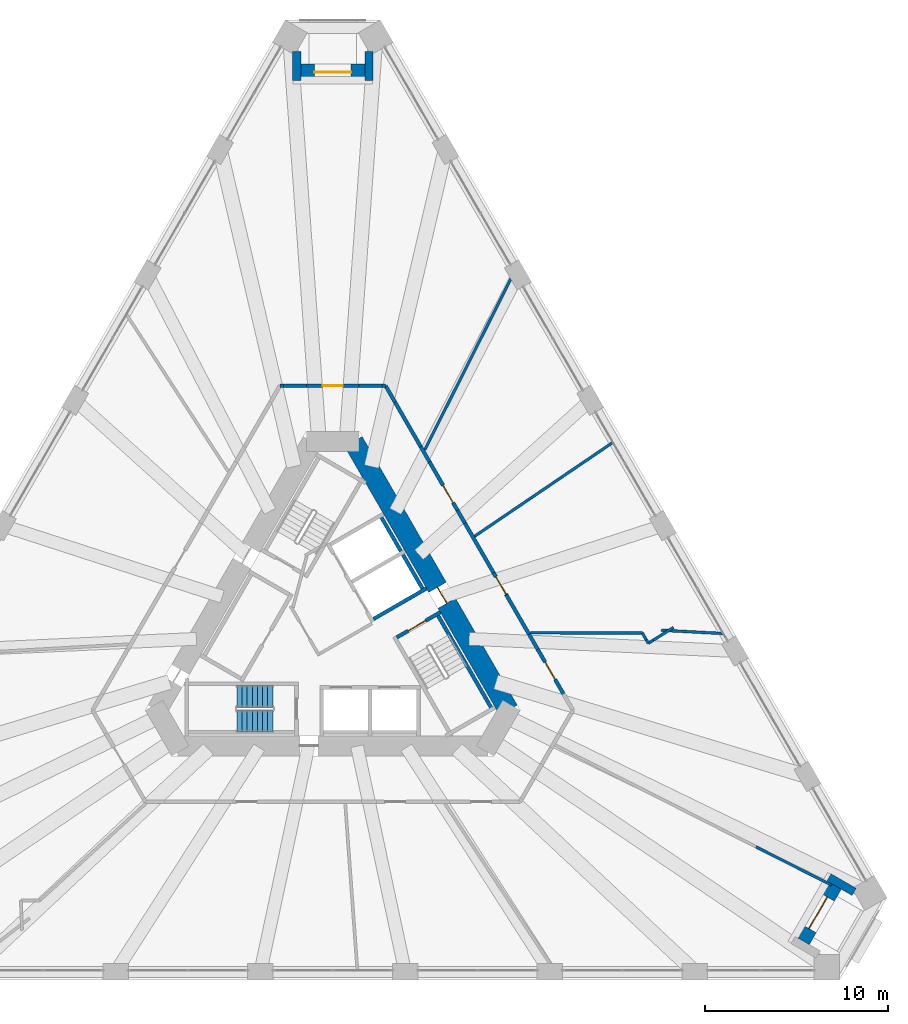
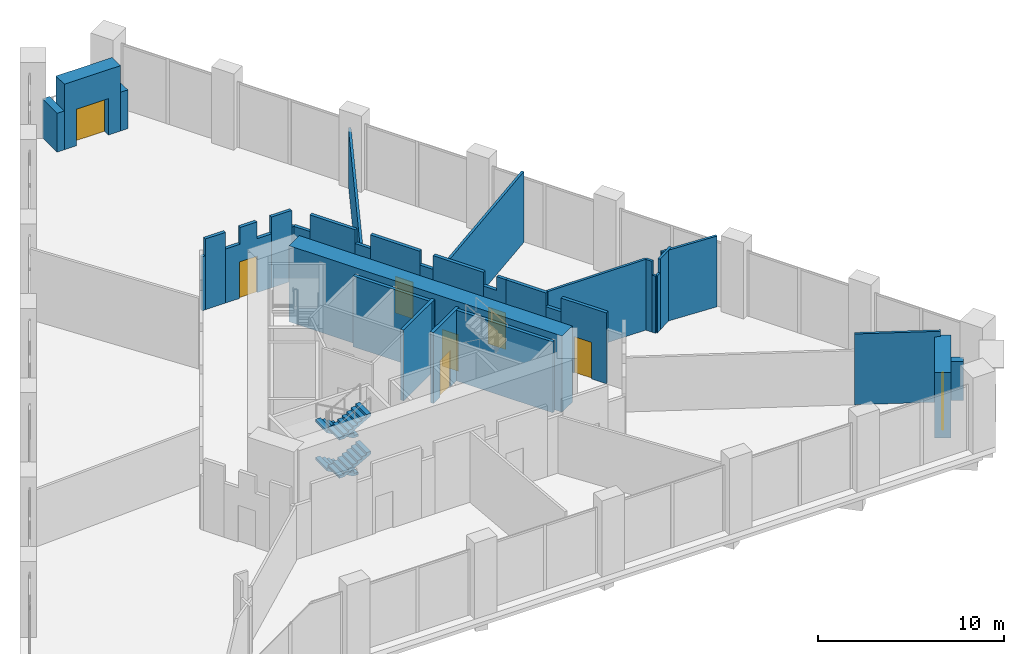
# One storey, part 15 of 20: 34 walls, 8 doors, 4 stair flights, 8 openings, 1 element without a shape of its own.
"""IFC4 building model written with IfcOpenShell, lengths in metres."""

import ifcopenshell
import ifcopenshell.guid

model = None  # the IFC model being written
_history = None  # IfcOwnerHistory: only IFC2X3 demands one
_inside = {}  # id of a spatial element -> (the spatial element, [elements in it])
_under = {}  # id of a project, library or spatial element -> (it, [spatial elements below it])
_declared = {}  # id of a project -> (the project, [libraries it declares])
_typed = {}  # id of a type object -> (the type object, [elements of that type])
_made_of = {}  # id of a material, layer set ... -> (it, [elements and type objects made of it])


def new_model(schema):
    """Start an empty IFC model of exactly this schema.

    Asked for "IFC4X3", IfcOpenShell would pick the latest addendum, in which some entities
    have other attributes; the version numbers below select the first issue.
    IFC2X3 requires an IfcOwnerHistory on every rooted entity: one is made here for all.
    """
    global model, _history
    if schema == "IFC4X3":
        model = ifcopenshell.file(schema_version=(4, 3, 0, 0))
    else:
        model = ifcopenshell.file(schema=schema)
    _inside.clear()
    _under.clear()
    _declared.clear()
    _typed.clear()
    _made_of.clear()
    _history = None
    if model.schema == "IFC2X3":
        org = make("IfcOrganization", Name="unknown")
        user = make(
            "IfcPersonAndOrganization",
            ThePerson=make("IfcPerson", FamilyName="unknown"),
            TheOrganization=org,
        )
        app = make(
            "IfcApplication",
            ApplicationDeveloper=org,
            Version="unknown",
            ApplicationFullName="unknown",
            ApplicationIdentifier="unknown",
        )
        _history = make(
            "IfcOwnerHistory",
            OwningUser=user,
            OwningApplication=app,
            ChangeAction="ADDED",
            CreationDate=0,
        )
    return model


def make(cls, **values):
    """One entity of the class cls with the attributes given. An attribute that is None is left unset."""
    return model.create_entity(
        cls, **{name: value for name, value in values.items() if value is not None}
    )


def rooted(cls, **values):
    """An entity with a GlobalId (a new one), such as an element, a storey or a relation."""
    return make(cls, GlobalId=ifcopenshell.guid.new(), OwnerHistory=_history, **values)


def si_unit(unit_type, name, prefix=None):
    """IfcSIUnit, for example si_unit("LENGTHUNIT", "METRE", prefix="MILLI")."""
    return make("IfcSIUnit", UnitType=unit_type, Prefix=prefix, Name=name)


def assignment(units):
    """IfcUnitAssignment: the units of a project."""
    return None if units is None else make("IfcUnitAssignment", Units=units)


def point(xyz):
    """IfcCartesianPoint."""
    return None if xyz is None else make("IfcCartesianPoint", Coordinates=xyz)


def direction(xyz):
    """IfcDirection."""
    return None if xyz is None else make("IfcDirection", DirectionRatios=xyz)


def frame(location, z_axis=None, x_axis=None):
    """IfcAxis2Placement3D, a coordinate frame: its origin and axes. An axis left out is left unset."""
    return make(
        "IfcAxis2Placement3D",
        Location=point(location),
        Axis=direction(z_axis),
        RefDirection=direction(x_axis),
    )


def frame_2d(location, x_axis=None):
    """IfcAxis2Placement2D, a coordinate frame in the plane: its origin and x axis."""
    return make(
        "IfcAxis2Placement2D", Location=point(location), RefDirection=direction(x_axis)
    )


def origin():
    """The frame at (0, 0, 0) with its axes left unset."""
    return frame((0.0, 0.0, 0.0))


def place(relative_to, where):
    """IfcLocalPlacement: puts the frame where relative to a parent placement (None: the world)."""
    return make(
        "IfcLocalPlacement", PlacementRelTo=relative_to, RelativePlacement=where
    )


def context(
    kind, dimensions, precision=None, world=None, true_north=None, identifier=None
):
    """IfcGeometricRepresentationContext, for example the 3D "Model" context."""
    return make(
        "IfcGeometricRepresentationContext",
        ContextIdentifier=identifier,
        ContextType=kind,
        CoordinateSpaceDimension=dimensions,
        Precision=precision,
        WorldCoordinateSystem=world,
        TrueNorth=true_north,
    )


def subcontext(parent, identifier, kind, view, scale=None):
    """IfcGeometricRepresentationSubContext, for example "Body" below "Model"."""
    return make(
        "IfcGeometricRepresentationSubContext",
        ContextIdentifier=identifier,
        ContextType=kind,
        ParentContext=parent,
        TargetScale=scale,
        TargetView=view,
    )


def project(units=None, contexts=None):
    """IfcProject with its units and contexts."""
    return rooted(
        "IfcProject",
        Name="project",
        RepresentationContexts=contexts,
        UnitsInContext=assignment(units),
    )


def spatial(cls, under=None, at=None, **own):
    """A site, building, storey or space (cls), placed at a placement, below another one or the project."""
    s = rooted(cls, ObjectPlacement=at, **own)
    if under is not None:
        _under.setdefault(under.id(), (under, []))[1].append(s)
    return s


def polyline(points):
    """IfcPolyline through the points."""
    return make("IfcPolyline", Points=[point(p) for p in points])


def profile(cls, at=None, kind="AREA", **sizes):
    """A parametric profile (cls). Its sizes go by their IFC names, for example OverallWidth=200.0."""
    return make(cls, ProfileType=kind, Position=at, **sizes)


def rectangle(**sizes):
    """IfcRectangleProfileDef."""
    return profile("IfcRectangleProfileDef", **sizes)


def outline(outer, holes=None, kind="AREA"):
    """IfcArbitraryClosedProfileDef: a profile drawn as a closed curve; with holes, ...WithVoids."""
    if holes is None:
        return make("IfcArbitraryClosedProfileDef", ProfileType=kind, OuterCurve=outer)
    return make(
        "IfcArbitraryProfileDefWithVoids",
        ProfileType=kind,
        OuterCurve=outer,
        InnerCurves=holes,
    )


def extrude(swept, where, along, depth):
    """IfcExtrudedAreaSolid: the profile swept, set in the frame where, extruded along a direction by depth."""
    return make(
        "IfcExtrudedAreaSolid",
        SweptArea=swept,
        Position=where,
        ExtrudedDirection=direction(along),
        Depth=depth,
    )


def shape(context_of_items, identifier, shape_type, items):
    """IfcShapeRepresentation: the items that make up one representation, for example the "Body"."""
    return make(
        "IfcShapeRepresentation",
        ContextOfItems=context_of_items,
        RepresentationIdentifier=identifier,
        RepresentationType=shape_type,
        Items=items,
    )


def material(Name=None, Category=None):
    """IfcMaterial."""
    return make("IfcMaterial", Name=Name, Category=Category)


def layer(
    of_material, thickness, ventilated=None, Name=None, Category=None, Priority=None
):
    """IfcMaterialLayer: one layer of a wall or slab, of a material (None: an air gap)."""
    return make(
        "IfcMaterialLayer",
        Material=of_material,
        LayerThickness=thickness,
        IsVentilated=ventilated,
        Name=Name,
        Category=Category,
        Priority=Priority,
    )


def layer_set(layers, Name=None):
    """IfcMaterialLayerSet."""
    return make("IfcMaterialLayerSet", MaterialLayers=layers, LayerSetName=Name)


def made_of(thing, what):
    """Note that an element or type object is made of a material, layer set ...; save() writes the relation."""
    if what is not None:
        _made_of.setdefault(what.id(), (what, []))[1].append(thing)
    return thing


def type_object(cls, material=None, **own):
    """A type object (cls), such as IfcWallType, which elements share."""
    return made_of(rooted(cls, **own), material)


def element(
    cls,
    number,
    at=None,
    inside=None,
    cuts=None,
    type_object=None,
    material=None,
    context=None,
    identifier="Body",
    shape_type=None,
    held_by="IfcProductDefinitionShape",
    body=None,
    shapes=None,
    **own,
):
    """One element of the class cls, such as IfcWall. Its Tag is "e" and its number.

    at: its placement. inside: the storey or other place that contains it. cuts: it is an
    opening in that element (IfcRelVoidsElement). A single representation is given by context,
    identifier, shape_type and body (its items); several are given by shapes. held_by: the class
    of the entity that holds the representations. save() writes the other relations.
    """
    e = rooted(cls, Tag="e%d" % number, ObjectPlacement=at, **own)
    if body is not None:
        shapes = [shape(context, identifier, shape_type, body)]
    if shapes is not None:
        e.Representation = make(held_by, Representations=shapes)
    if inside is not None:
        _inside.setdefault(inside.id(), (inside, []))[1].append(e)
    if cuts is not None:
        rooted(
            "IfcRelVoidsElement", RelatingBuildingElement=cuts, RelatedOpeningElement=e
        )
    if type_object is not None:
        _typed.setdefault(type_object.id(), (type_object, []))[1].append(e)
    return made_of(e, material)


def fill(opening, filler):
    """IfcRelFillsElement: the door or window that sits in an opening."""
    return rooted(
        "IfcRelFillsElement",
        RelatingOpeningElement=opening,
        RelatedBuildingElement=filler,
    )


def aggregate(whole, parts):
    """IfcRelAggregates: a whole, such as a stair, and the parts it consists of."""
    return rooted("IfcRelAggregates", RelatingObject=whole, RelatedObjects=parts)


def save(model, path):
    """Write the relations noted so far, then the file.

    IfcRelAggregates (storeys below a building ...), IfcRelContainedInSpatialStructure (elements
    in a storey), IfcRelDefinesByType, IfcRelAssociatesMaterial and IfcRelDeclares: one each for
    every whole, place, type object, material and project.
    """
    for whole, parts in _under.values():
        aggregate(whole, parts)
    for where, things in _inside.values():
        rooted(
            "IfcRelContainedInSpatialStructure",
            RelatedElements=things,
            RelatingStructure=where,
        )
    for kind, things in _typed.values():
        rooted("IfcRelDefinesByType", RelatedObjects=things, RelatingType=kind)
    for what, things in _made_of.values():
        rooted("IfcRelAssociatesMaterial", RelatedObjects=things, RelatingMaterial=what)
    for by, libraries in _declared.values():
        rooted("IfcRelDeclares", RelatingContext=by, RelatedDefinitions=libraries)
    model.write(path)


model = new_model("IFC4")

# Units and contexts
model_context = context("Model", 3, precision=1e-05, world=origin(), true_north=direction((0.0, 1.0)))
body_context = subcontext(model_context, "Body", "Model", "MODEL_VIEW")
ifc_project = project(units=[si_unit("LENGTHUNIT", "METRE"), si_unit("AREAUNIT", "SQUARE_METRE"), si_unit("VOLUMEUNIT", "CUBIC_METRE"), si_unit("PLANEANGLEUNIT", "RADIAN"), si_unit("MASSUNIT", "GRAM", prefix="KILO")], contexts=[model_context])

# Site, building, storey
site_placement = place(None, origin())
site = spatial("IfcSite", under=ifc_project, at=site_placement, CompositionType="ELEMENT")
building_placement = place(site_placement, origin())
building = spatial("IfcBuilding", under=site, at=building_placement, Name="Tramontana Tower", CompositionType="ELEMENT")
storey_placement = place(building_placement, frame((0.0, 0.0, 15.0)))
storey = spatial("IfcBuildingStorey", under=building, at=storey_placement, Name="L02", CompositionType="ELEMENT", Elevation=15.0)

# Wall, opening, door
ifc_material_1 = material(Name="Concrete 70 MPa", Category="concrete")
ifc_layer_1 = layer(ifc_material_1, 1.10009765625)
ifc_layer_set_1 = layer_set([ifc_layer_1], Name="Core wall 1100 70 MPa")
wall_type_1 = type_object("IfcWallType", Name="Core wall 1100 70 MPa", PredefinedType="SHEAR", material=ifc_layer_set_1)
wall_1_placement = place(storey_placement, frame((9.61279296875, -4.25, 0.0), z_axis=(0.0, 0.0, 1.0), x_axis=(-0.500001757713, 0.866024388966, 0.0)))
wall_1 = element("IfcWall", 1, at=wall_1_placement, inside=storey, type_object=wall_type_1, Name="Core wall C5 L02", PredefinedType="SHEAR", context=body_context, shape_type="SweptSolid", body=[
    extrude(rectangle(XDim=16.97412109375, YDim=1.10009765625, at=frame_2d((8.487060546875, 0.0))), origin(), (0.0, 0.0, 1.0), 5.0),
])
opening_1_placement = place(wall_1_placement, frame((6.761962890625, 0.0, 0.0)))
opening_1 = element("IfcOpeningElement", 2, at=opening_1_placement, cuts=wall_1, Name="Opening RG3", PredefinedType="OPENING", context=body_context, shape_type="SweptSolid", body=[
    extrude(rectangle(XDim=1.0, YDim=2.39990234375, at=frame_2d((0.5, 1.199951171875))), frame((0.0, 0.56005859375, 0.0), z_axis=(0.0, -1.0, 0.0), x_axis=(1.0, 0.0, 0.0)), (0.0, 0.0, 1.0), 1.1201171875),
])
ifc_material_2 = material(Name="Painted steel", Category="steel")
door_type_1 = type_object("IfcDoorType", Name="RING DOOR 1000", OperationType="SINGLE_SWING_LEFT", PredefinedType="DOOR", material=ifc_material_2)
door_1_placement = place(opening_1_placement, origin())
door_1 = element("IfcDoor", 3, at=door_1_placement, inside=storey, type_object=door_type_1, Name="Door RG3", OperationType="SINGLE_SWING_LEFT", OverallHeight=2.39990234375, OverallWidth=1.0, PredefinedType="DOOR", context=body_context, shape_type="SweptSolid", body=[
    extrude(rectangle(XDim=1.0, YDim=2.39990234375, at=frame_2d((0.5, 1.199951171875))), frame((0.0, 0.02490234375, 0.0), z_axis=(0.0, -1.0, 0.0), x_axis=(1.0, 0.0, 0.0)), (0.0, 0.0, 1.0), 0.050048828125),
])
fill(opening_1, door_1)

# Walls
ifc_material_3 = material(Name="Blockwork", Category="masonry")
ifc_layer_2 = layer(ifc_material_3, 0.199951171875)
ifc_layer_set_2 = layer_set([ifc_layer_2], Name="ENTRY WALL 200")
wall_type_2 = type_object("IfcWallType", Name="ENTRY WALL 200", PredefinedType="SOLIDWALL", material=ifc_layer_set_2)
wall_2_placement = place(storey_placement, frame((2.88671875, 13.5, 0.0), z_axis=(0.0, 0.0, 1.0), x_axis=(0.499994660107, -0.866028486751, 0.0)))
element("IfcWall", 4, at=wall_2_placement, inside=storey, type_object=wall_type_2, Name="Wall ew0-0", PredefinedType="SOLIDWALL", context=body_context, shape_type="SweptSolid", body=[
    extrude(rectangle(XDim=1.03515625, YDim=0.199951171875, at=frame_2d((0.517578125, 0.0))), origin(), (0.0, 0.0, 1.0), 3.550048828125),
])
wall_3_placement = place(storey_placement, frame((3.404296875, 12.603515625, 0.0), z_axis=(0.0, 0.0, 1.0), x_axis=(0.500000186108, -0.866025296335, 0.0)))
element("IfcWall", 5, at=wall_3_placement, inside=storey, type_object=wall_type_2, Name="Wall ew0-1", PredefinedType="SOLIDWALL", context=body_context, shape_type="SweptSolid", body=[
    extrude(rectangle(XDim=2.8154296875, YDim=0.199951171875, at=frame_2d((1.40771484375, 0.0))), origin(), (0.0, 0.0, 1.0), 4.64990234375),
])
wall_4_placement = place(storey_placement, frame((4.81201171875, 10.165283203125, 0.0), z_axis=(0.0, 0.0, 1.0), x_axis=(0.500174821557, -0.865924446982, 0.0)))
element("IfcWall", 6, at=wall_4_placement, inside=storey, type_object=wall_type_2, Name="Wall ew0-2", PredefinedType="SOLIDWALL", context=body_context, shape_type="SweptSolid", body=[
    extrude(rectangle(XDim=0.949951171875, YDim=0.199951171875, at=frame_2d((0.47509765625, 0.0))), origin(), (0.0, 0.0, 1.0), 3.75),
])

# Wall, opening, door
wall_5_placement = place(storey_placement, frame((5.287109375, 9.3427734375, 0.0), z_axis=(0.0, 0.0, 1.0), x_axis=(0.499952348839, -0.866052913447, 0.0)))
wall_5 = element("IfcWall", 7, at=wall_5_placement, inside=storey, type_object=wall_type_2, Name="Wall ew0-3", PredefinedType="SOLIDWALL", context=body_context, shape_type="SweptSolid", body=[
    extrude(rectangle(XDim=3.064208984375, YDim=0.199951171875, at=frame_2d((1.5322265625, 0.0))), origin(), (0.0, 0.0, 1.0), 4.64990234375),
])
opening_2_placement = place(wall_5_placement, frame((1.489013671875, 0.0, 0.0)))
opening_2 = element("IfcOpeningElement", 8, at=opening_2_placement, cuts=wall_5, Name="Opening L02-09", PredefinedType="OPENING", context=body_context, shape_type="SweptSolid", body=[
    extrude(rectangle(XDim=1.10009765625, YDim=2.39990234375, at=frame_2d((0.550048828125, 1.199951171875))), frame((0.0, 0.10986328125, 0.0), z_axis=(0.0, -1.0, 0.0), x_axis=(1.0, 0.0, 0.0)), (0.0, 0.0, 1.0), 0.219970703125),
])
ifc_material_4 = material(Name="Painted timber", Category="wood")
door_type_2 = type_object("IfcDoorType", Name="DOOR ENTRY 1100", OperationType="SINGLE_SWING_LEFT", PredefinedType="DOOR", material=ifc_material_4)
door_2_placement = place(opening_2_placement, origin())
door_2 = element("IfcDoor", 9, at=door_2_placement, inside=storey, type_object=door_type_2, Name="Door L02-09", OperationType="SINGLE_SWING_LEFT", OverallHeight=2.39990234375, OverallWidth=1.10009765625, PredefinedType="DOOR", context=body_context, shape_type="SweptSolid", body=[
    extrude(rectangle(XDim=1.10009765625, YDim=2.39990234375, at=frame_2d((0.550048828125, 1.199951171875))), frame((0.0, 0.02490234375, 0.0), z_axis=(0.0, -1.0, 0.0), x_axis=(1.0, 0.0, 0.0)), (0.0, 0.0, 1.0), 0.050048828125),
])
fill(opening_2, door_2)

# Walls
wall_6_placement = place(storey_placement, frame((6.819091796875, 6.68896484375, 0.0), z_axis=(0.0, 0.0, 1.0), x_axis=(0.500118501653, -0.865956976012, 0.0)))
element("IfcWall", 10, at=wall_6_placement, inside=storey, type_object=wall_type_2, Name="Wall ew0-4", PredefinedType="SOLIDWALL", context=body_context, shape_type="SweptSolid", body=[
    extrude(rectangle(XDim=0.818115234375, YDim=0.199951171875, at=frame_2d((0.4091796875, 0.0))), origin(), (0.0, 0.0, 1.0), 3.75),
])
wall_7_placement = place(storey_placement, frame((7.228271484375, 5.98046875, 0.0), z_axis=(0.0, 0.0, 1.0), x_axis=(0.499947505232, -0.866055709532, 0.0)))
element("IfcWall", 11, at=wall_7_placement, inside=storey, type_object=wall_type_2, Name="Wall ew0-5", PredefinedType="SOLIDWALL", context=body_context, shape_type="SweptSolid", body=[
    extrude(rectangle(XDim=3.130126953125, YDim=0.199951171875, at=frame_2d((1.56494140625, 0.0))), origin(), (0.0, 0.0, 1.0), 4.64990234375),
])

# Wall, opening, door
wall_8_placement = place(storey_placement, frame((8.793212890625, 3.26953125, 0.0), z_axis=(0.0, 0.0, 1.0), x_axis=(0.500054140411, -0.865994143547, 0.0)))
wall_8 = element("IfcWall", 12, at=wall_8_placement, inside=storey, type_object=wall_type_2, Name="Wall ew0-6", PredefinedType="SOLIDWALL", context=body_context, shape_type="SweptSolid", body=[
    extrude(outline(polyline([(0.0, 0.0), (1.401611328125, 0.0), (1.401611328125, 4.64990234375), (0.818115234375, 4.64990234375), (0.818115234375, 3.75), (0.0, 3.75), (0.0, 0.0)])), frame((0.0, 0.10009765625, 0.0), z_axis=(0.0, -1.0, 0.0), x_axis=(1.0, 0.0, 0.0)), (0.0, 0.0, 1.0), 0.199951171875),
])
opening_3_placement = place(wall_8_placement, frame((0.251708984375, 0.0, 0.0)))
opening_3 = element("IfcOpeningElement", 13, at=opening_3_placement, cuts=wall_8, Name="Opening L02-08", PredefinedType="OPENING", context=body_context, shape_type="SweptSolid", body=[
    extrude(rectangle(XDim=1.10009765625, YDim=2.39990234375, at=frame_2d((0.550048828125, 1.199951171875))), frame((0.0, 0.10986328125, 0.0), z_axis=(0.0, -1.0, 0.0), x_axis=(1.0, 0.0, 0.0)), (0.0, 0.0, 1.0), 0.219970703125),
])
door_3_placement = place(opening_3_placement, origin())
door_3 = element("IfcDoor", 14, at=door_3_placement, inside=storey, type_object=door_type_2, Name="Door L02-08", OperationType="SINGLE_SWING_RIGHT", OverallHeight=2.39990234375, OverallWidth=1.10009765625, PredefinedType="DOOR", context=body_context, shape_type="SweptSolid", body=[
    extrude(rectangle(XDim=1.10009765625, YDim=2.39990234375, at=frame_2d((0.550048828125, 1.199951171875))), frame((0.0, 0.02490234375, 0.0), z_axis=(0.0, -1.0, 0.0), x_axis=(1.0, 0.0, 0.0)), (0.0, 0.0, 1.0), 0.050048828125),
])
fill(opening_3, door_3)

# Walls
wall_9_placement = place(storey_placement, frame((9.494140625, 2.0556640625, 0.0), z_axis=(0.0, 0.0, 1.0), x_axis=(0.499949632511, -0.866054481515, 0.0)))
element("IfcWall", 15, at=wall_9_placement, inside=storey, type_object=wall_type_2, Name="Wall ew0-7", PredefinedType="SOLIDWALL", context=body_context, shape_type="SweptSolid", body=[
    extrude(rectangle(XDim=2.480712890625, YDim=0.199951171875, at=frame_2d((1.240234375, 0.0))), origin(), (0.0, 0.0, 1.0), 4.64990234375),
])
wall_10_placement = place(storey_placement, frame((10.734375, -0.0927734375, 0.0), z_axis=(0.0, 0.0, 1.0), x_axis=(0.500174821557, -0.865924446982, 0.0)))
element("IfcWall", 16, at=wall_10_placement, inside=storey, type_object=wall_type_2, Name="Wall ew0-8", PredefinedType="SOLIDWALL", context=body_context, shape_type="SweptSolid", body=[
    extrude(rectangle(XDim=0.949951171875, YDim=0.199951171875, at=frame_2d((0.47509765625, 0.0))), origin(), (0.0, 0.0, 1.0), 3.75),
])

# Wall, opening, door
wall_11_placement = place(storey_placement, frame((11.20947265625, -0.915283203125, 0.0), z_axis=(0.0, 0.0, 1.0), x_axis=(0.49993514545, -0.866062844338, 0.0)))
wall_11 = element("IfcWall", 17, at=wall_11_placement, inside=storey, type_object=wall_type_2, Name="Wall ew0-9", PredefinedType="SOLIDWALL", context=body_context, shape_type="SweptSolid", body=[
    extrude(rectangle(XDim=2.815185546875, YDim=0.199951171875, at=frame_2d((1.40771484375, 0.0))), origin(), (0.0, 0.0, 1.0), 4.64990234375),
])
opening_4_placement = place(wall_11_placement, frame((0.803466796875, 0.0, 0.0)))
opening_4 = element("IfcOpeningElement", 18, at=opening_4_placement, cuts=wall_11, Name="Opening L02-07", PredefinedType="OPENING", context=body_context, shape_type="SweptSolid", body=[
    extrude(rectangle(XDim=1.10009765625, YDim=2.39990234375, at=frame_2d((0.550048828125, 1.199951171875))), frame((0.0, 0.10986328125, 0.0), z_axis=(0.0, -1.0, 0.0), x_axis=(1.0, 0.0, 0.0)), (0.0, 0.0, 1.0), 0.219970703125),
])
door_4_placement = place(opening_4_placement, origin())
door_4 = element("IfcDoor", 19, at=door_4_placement, inside=storey, type_object=door_type_2, Name="Door L02-07", OperationType="SINGLE_SWING_LEFT", OverallHeight=2.39990234375, OverallWidth=1.10009765625, PredefinedType="DOOR", context=body_context, shape_type="SweptSolid", body=[
    extrude(rectangle(XDim=1.10009765625, YDim=2.39990234375, at=frame_2d((0.550048828125, 1.199951171875))), frame((0.0, 0.02490234375, 0.0), z_axis=(0.0, -1.0, 0.0), x_axis=(1.0, 0.0, 0.0)), (0.0, 0.0, 1.0), 0.050048828125),
])
fill(opening_4, door_4)

# Walls
wall_12_placement = place(storey_placement, frame((-2.88671875, 13.5, 0.0), z_axis=(0.0, 0.0, 1.0), x_axis=(1.0, 0.0, 0.0)))
element("IfcWall", 20, at=wall_12_placement, inside=storey, type_object=wall_type_2, Name="Wall ew5-0", PredefinedType="SOLIDWALL", context=body_context, shape_type="SweptSolid", body=[
    extrude(rectangle(XDim=0.197265625, YDim=0.199951171875, at=frame_2d((0.0986328125, 0.0))), origin(), (0.0, 0.0, 1.0), 3.550048828125),
])
wall_13_placement = place(storey_placement, frame((-2.689453125, 13.5, 0.0), z_axis=(0.0, 0.0, 1.0), x_axis=(1.0, 0.0, 0.0)))
element("IfcWall", 21, at=wall_13_placement, inside=storey, type_object=wall_type_2, Name="Wall ew5-1", PredefinedType="SOLIDWALL", context=body_context, shape_type="SweptSolid", body=[
    extrude(rectangle(XDim=1.266845703125, YDim=0.199951171875, at=frame_2d((0.63330078125, 0.0))), origin(), (0.0, 0.0, 1.0), 4.64990234375),
])

# Wall, opening, door
wall_14_placement = place(storey_placement, frame((-1.422607421875, 13.5, 0.0), z_axis=(0.0, 0.0, 1.0), x_axis=(1.0, 0.0, 0.0)))
wall_14 = element("IfcWall", 22, at=wall_14_placement, inside=storey, type_object=wall_type_2, Name="Wall ew5-2", PredefinedType="SOLIDWALL", context=body_context, shape_type="SweptSolid", body=[
    extrude(outline(polyline([(0.0, 0.0), (2.84521484375, 0.0), (2.84521484375, 3.550048828125), (1.94287109375, 3.550048828125), (1.94287109375, 4.64990234375), (0.90234375, 4.64990234375), (0.90234375, 3.550048828125), (0.0, 3.550048828125), (0.0, 0.0)])), frame((0.0, 0.10009765625, 0.0), z_axis=(0.0, -1.0, 0.0), x_axis=(1.0, 0.0, 0.0)), (0.0, 0.0, 1.0), 0.199951171875),
])
opening_5_placement = place(wall_14_placement, frame((0.87255859375, 0.0, 0.0)))
opening_5 = element("IfcOpeningElement", 23, at=opening_5_placement, cuts=wall_14, Name="Opening L02-01", PredefinedType="OPENING", context=body_context, shape_type="SweptSolid", body=[
    extrude(rectangle(XDim=1.10009765625, YDim=2.39990234375, at=frame_2d((0.550048828125, 1.199951171875))), frame((0.0, 0.10986328125, 0.0), z_axis=(0.0, -1.0, 0.0), x_axis=(1.0, 0.0, 0.0)), (0.0, 0.0, 1.0), 0.219970703125),
])
door_5_placement = place(opening_5_placement, origin())
door_5 = element("IfcDoor", 24, at=door_5_placement, inside=storey, type_object=door_type_2, Name="Door L02-01", OperationType="SINGLE_SWING_LEFT", OverallHeight=2.39990234375, OverallWidth=1.10009765625, PredefinedType="DOOR", context=body_context, shape_type="SweptSolid", body=[
    extrude(rectangle(XDim=1.10009765625, YDim=2.39990234375, at=frame_2d((0.550048828125, 1.199951171875))), frame((0.0, 0.02490234375, 0.0), z_axis=(0.0, -1.0, 0.0), x_axis=(1.0, 0.0, 0.0)), (0.0, 0.0, 1.0), 0.050048828125),
])
fill(opening_5, door_5)

# Walls
wall_15_placement = place(storey_placement, frame((1.422607421875, 13.5, 0.0), z_axis=(0.0, 0.0, 1.0), x_axis=(1.0, 0.0, 0.0)))
element("IfcWall", 25, at=wall_15_placement, inside=storey, type_object=wall_type_2, Name="Wall ew5-3", PredefinedType="SOLIDWALL", context=body_context, shape_type="SweptSolid", body=[
    extrude(rectangle(XDim=1.266845703125, YDim=0.199951171875, at=frame_2d((0.63330078125, 0.0))), origin(), (0.0, 0.0, 1.0), 4.64990234375),
])
wall_16_placement = place(storey_placement, frame((2.689453125, 13.5, 0.0), z_axis=(0.0, 0.0, 1.0), x_axis=(1.0, 0.0, 0.0)))
element("IfcWall", 26, at=wall_16_placement, inside=storey, type_object=wall_type_2, Name="Wall ew5-4", PredefinedType="SOLIDWALL", context=body_context, shape_type="SweptSolid", body=[
    extrude(rectangle(XDim=0.197265625, YDim=0.199951171875, at=frame_2d((0.0986328125, 0.0))), origin(), (0.0, 0.0, 1.0), 3.550048828125),
])
ifc_material_5 = material(Name="Precast concrete 60 MPa", Category="concrete")
ifc_layer_3 = layer(ifc_material_5, 0.449951171875)
ifc_layer_set_3 = layer_set([ifc_layer_3], Name="Precast concrete 60 MPa, 450 mm")
wall_type_3 = type_object("IfcWallType", Name="EW1 Stone-faced precast wall 450", PredefinedType="SOLIDWALL", material=ifc_layer_set_3)
for number, where, z_axis, x_axis, name in (
    (27, (-1.97509765625, 31.779296875, 0.0), (0.0, 0.0, 1.0), (0.0, -1.0, 0.0), "Corner loggia side wall L02 K00l"),
    (28, (1.97509765625, 31.779296875, 0.0), (0.0, 0.0, 1.0), (0.0, -1.0, 0.0), "Corner loggia side wall L02 K00r"),
):
    element("IfcWall", number, at=place(storey_placement, frame(where, z_axis=z_axis, x_axis=x_axis)), inside=storey, type_object=wall_type_3, Name=name, PredefinedType="SOLIDWALL", context=body_context, shape_type="SweptSolid", body=[
        extrude(rectangle(XDim=1.579345703125, YDim=0.449951171875, at=frame_2d((0.78955078125, 0.0))), origin(), (0.0, 0.0, 1.0), 2.550048828125),
    ])
wall_17_placement = place(storey_placement, frame((28.509033203125, -14.17919921875, 0.0), z_axis=(0.0, 0.0, 1.0), x_axis=(-0.866046570609, 0.499963336192, 0.0)))
element("IfcWall", 29, at=wall_17_placement, inside=storey, type_object=wall_type_3, Name="Corner loggia side wall L02 K02l", PredefinedType="SOLIDWALL", context=body_context, shape_type="SweptSolid", body=[
    extrude(rectangle(XDim=1.5791015625, YDim=0.449951171875, at=frame_2d((0.78955078125, 0.0))), origin(), (0.0, 0.0, 1.0), 2.550048828125),
])

# Wall, opening, door
ifc_material_6 = material(Name="Precast concrete 60 MPa", Category="concrete")
ifc_layer_4 = layer(ifc_material_6, 0.89990234375)
ifc_layer_set_4 = layer_set([ifc_layer_4], Name="EW2 Stone-faced corner loggia wall 900")
wall_type_4 = type_object("IfcWallType", Name="EW2 Stone-faced corner loggia wall 900", PredefinedType="SOLIDWALL", material=ifc_layer_set_4)
wall_18_placement = place(storey_placement, frame((-1.75, 30.64990234375, 0.0), z_axis=(0.0, 0.0, 1.0), x_axis=(1.0, 0.0, 0.0)))
wall_18 = element("IfcWall", 30, at=wall_18_placement, inside=storey, type_object=wall_type_4, Name="Corner loggia wall L02 K00", PredefinedType="SOLIDWALL", context=body_context, shape_type="SweptSolid", body=[
    extrude(rectangle(XDim=3.5, YDim=0.89990234375, at=frame_2d((1.75, 0.0))), origin(), (0.0, 0.0, 1.0), 4.300048828125),
])
opening_6_placement = place(wall_18_placement, frame((0.75, 0.0, 0.0)))
opening_6 = element("IfcOpeningElement", 31, at=opening_6_placement, cuts=wall_18, Name="Opening BD-00C", PredefinedType="OPENING", context=body_context, shape_type="SweptSolid", body=[
    extrude(rectangle(XDim=2.0, YDim=2.39990234375, at=frame_2d((1.0, 1.199951171875))), frame((0.0, 0.4599609375, 0.0), z_axis=(0.0, -1.0, 0.0), x_axis=(1.0, 0.0, 0.0)), (0.0, 0.0, 1.0), 0.919921875),
])
ifc_material_7 = material(Name="Aluminum frame, double glazing unit", Category="aluminium")
door_type_3 = type_object("IfcDoorType", Name="BC1 Sliding door 2 x 2.4", OperationType="SLIDING_TO_LEFT", PredefinedType="DOOR", material=ifc_material_7)
door_6_placement = place(opening_6_placement, origin())
door_6 = element("IfcDoor", 32, at=door_6_placement, inside=storey, type_object=door_type_3, Name="Corner loggia door L02 K00", OperationType="SLIDING_TO_LEFT", OverallHeight=2.39990234375, OverallWidth=2.0, PredefinedType="DOOR", context=body_context, shape_type="SweptSolid", body=[
    extrude(rectangle(XDim=2.0, YDim=2.39990234375, at=frame_2d((1.0, 1.199951171875))), frame((0.0, 0.02490234375, 0.0), z_axis=(0.0, -1.0, 0.0), x_axis=(1.0, 0.0, 0.0)), (0.0, 0.0, 1.0), 0.050048828125),
])
fill(opening_6, door_6)

wall_19_placement = place(storey_placement, frame((27.418701171875, -13.8095703125, 0.0), z_axis=(0.0, 0.0, 1.0), x_axis=(-0.500010275428, -0.866019471182, 0.0)))
wall_19 = element("IfcWall", 33, at=wall_19_placement, inside=storey, type_object=wall_type_4, Name="Corner loggia wall L02 K02", PredefinedType="SOLIDWALL", context=body_context, shape_type="SweptSolid", body=[
    extrude(rectangle(XDim=3.5, YDim=0.89990234375, at=frame_2d((1.75, 0.0))), origin(), (0.0, 0.0, 1.0), 4.300048828125),
])
opening_7_placement = place(wall_19_placement, frame((0.75, 0.0, 0.0)))
opening_7 = element("IfcOpeningElement", 34, at=opening_7_placement, cuts=wall_19, Name="Opening BD-02C", PredefinedType="OPENING", context=body_context, shape_type="SweptSolid", body=[
    extrude(rectangle(XDim=2.0, YDim=2.39990234375, at=frame_2d((1.0, 1.199951171875))), frame((0.0, 0.4599609375, 0.0), z_axis=(0.0, -1.0, 0.0), x_axis=(1.0, 0.0, 0.0)), (0.0, 0.0, 1.0), 0.919921875),
])
door_7_placement = place(opening_7_placement, origin())
door_7 = element("IfcDoor", 35, at=door_7_placement, inside=storey, type_object=door_type_3, Name="Corner loggia door L02 K02", OperationType="SLIDING_TO_LEFT", OverallHeight=2.39990234375, OverallWidth=2.0, PredefinedType="DOOR", context=body_context, shape_type="SweptSolid", body=[
    extrude(rectangle(XDim=2.0, YDim=2.39990234375, at=frame_2d((1.0, 1.199951171875))), frame((0.0, 0.02490234375, 0.0), z_axis=(0.0, -1.0, 0.0), x_axis=(1.0, 0.0, 0.0)), (0.0, 0.0, 1.0), 0.050048828125),
])
fill(opening_7, door_7)

# Walls
ifc_material_8 = material(Name="Gypsum board partition")
ifc_layer_5 = layer(ifc_material_8, 0.14990234375)
ifc_layer_set_5 = layer_set([ifc_layer_5], Name="PARTITION 150")
wall_type_5 = type_object("IfcWallType", Name="PARTITION 150", PredefinedType="PARTITIONING", material=ifc_layer_set_5)
wall_20_placement = place(storey_placement, frame((7.756591796875, 5.265380859375, 0.0), z_axis=(0.0, 0.0, 1.0), x_axis=(0.827367178153, 0.561661421601, 0.0)))
element("IfcWall", 36, at=wall_20_placement, inside=storey, type_object=wall_type_5, Name="Wall fw-pw08", PredefinedType="PARTITIONING", context=body_context, shape_type="SweptSolid", body=[
    extrude(rectangle(XDim=9.103759765625, YDim=0.14990234375, at=frame_2d((4.5517578125, 0.0))), origin(), (0.0, 0.0, 1.0), 4.64990234375),
])
wall_21_placement = place(storey_placement, frame((9.9140625, 19.688232421875, 0.0), z_axis=(0.0, 0.0, 1.0), x_axis=(-0.449738583761, -0.893160235499, 0.0)))
element("IfcWall", 37, at=wall_21_placement, inside=storey, type_object=wall_type_5, Name="Wall fw-pw09-0", PredefinedType="PARTITIONING", context=body_context, shape_type="SweptSolid", body=[
    extrude(rectangle(XDim=10.8603515625, YDim=0.14990234375, at=frame_2d((5.43017578125, 0.0))), origin(), (0.0, 0.0, 1.0), 3.75),
])
wall_22_placement = place(storey_placement, frame((10.804931640625, -0.0146484375, 0.0), z_axis=(0.0, 0.0, 1.0), x_axis=(0.999999081531, -0.001355336394, 0.0)))
element("IfcWall", 38, at=wall_22_placement, inside=storey, type_object=wall_type_5, Name="Wall fw-pw10", PredefinedType="PARTITIONING", context=body_context, shape_type="SweptSolid", body=[
    extrude(rectangle(XDim=6.12451171875, YDim=0.14990234375, at=frame_2d((3.062255859375, 0.0))), origin(), (0.0, 0.0, 1.0), 4.64990234375),
])
wall_23_placement = place(storey_placement, frame((23.146240234375, -11.717529296875, 0.0), z_axis=(0.0, 0.0, 1.0), x_axis=(0.892192371096, -0.451655591085, 0.0)))
element("IfcWall", 39, at=wall_23_placement, inside=storey, type_object=wall_type_5, Name="Wall fw-pw11-1", PredefinedType="PARTITIONING", context=body_context, shape_type="SweptSolid", body=[
    extrude(rectangle(XDim=4.633056640625, YDim=0.14990234375, at=frame_2d((2.31640625, 0.0))), origin(), (0.0, 0.0, 1.0), 4.64990234375),
])
wall_24_placement = place(storey_placement, frame((16.929443359375, -0.02294921875, 0.0), z_axis=(0.0, 0.0, 1.0), x_axis=(0.500062521093, -0.865989304205, 0.0)))
element("IfcWall", 40, at=wall_24_placement, inside=storey, type_object=wall_type_5, Name="Wall fw-pw12-0", PredefinedType="PARTITIONING", context=body_context, shape_type="SweptSolid", body=[
    extrude(rectangle(XDim=0.43505859375, YDim=0.14990234375, at=frame_2d((0.217529296875, 0.0))), origin(), (0.0, 0.0, 1.0), 4.64990234375),
])
wall_25_placement = place(storey_placement, frame((17.14697265625, -0.399658203125, 0.0), z_axis=(0.0, 0.0, 1.0), x_axis=(0.499298623879, -0.866429964967, 0.0)))
element("IfcWall", 41, at=wall_25_placement, inside=storey, type_object=wall_type_5, Name="Wall fw-pw12-1", PredefinedType="PARTITIONING", context=body_context, shape_type="SweptSolid", body=[
    extrude(rectangle(XDim=0.216064453125, YDim=0.14990234375, at=frame_2d((0.10791015625, 0.0))), origin(), (0.0, 0.0, 1.0), 3.75),
])
wall_26_placement = place(storey_placement, frame((17.2578125, -0.587646484375, 0.0), z_axis=(0.0, 0.0, 1.0), x_axis=(0.846105293653, 0.533015789684, 0.0)))
element("IfcWall", 42, at=wall_26_placement, inside=storey, type_object=wall_type_5, Name="Wall fw-pw13-0", PredefinedType="PARTITIONING", context=body_context, shape_type="SweptSolid", body=[
    extrude(rectangle(XDim=0.31982421875, YDim=0.14990234375, at=frame_2d((0.159912109375, 0.0))), origin(), (0.0, 0.0, 1.0), 3.75),
])
wall_27_placement = place(storey_placement, frame((17.5283203125, -0.417236328125, 0.0), z_axis=(0.0, 0.0, 1.0), x_axis=(0.846002383542, 0.533179113471, 0.0)))
element("IfcWall", 43, at=wall_27_placement, inside=storey, type_object=wall_type_5, Name="Wall fw-pw13-1", PredefinedType="PARTITIONING", context=body_context, shape_type="SweptSolid", body=[
    extrude(rectangle(XDim=1.3095703125, YDim=0.14990234375, at=frame_2d((0.65478515625, 0.0))), origin(), (0.0, 0.0, 1.0), 4.64990234375),
])
wall_28_placement = place(storey_placement, frame((17.964111328125, 0.125244140625, 0.0), z_axis=(0.0, 0.0, 1.0), x_axis=(0.998648860301, -0.051965890921, 0.0)))
element("IfcWall", 44, at=wall_28_placement, inside=storey, type_object=wall_type_5, Name="Wall fw-pw14", PredefinedType="PARTITIONING", context=body_context, shape_type="SweptSolid", body=[
    extrude(rectangle(XDim=3.349853515625, YDim=0.14990234375, at=frame_2d((1.6748046875, 0.0))), origin(), (0.0, 0.0, 1.0), 4.64990234375),
])
ifc_material_9 = material(Name="Concrete 70 MPa", Category="concrete")
ifc_layer_6 = layer(ifc_material_9, 0.199951171875)
ifc_layer_set_6 = layer_set([ifc_layer_6], Name="Concrete 70 MPa, 200 mm")
wall_type_6 = type_object("IfcWallType", Name="RC SHAFT BACK WALL 200", PredefinedType="SOLIDWALL", material=ifc_layer_set_6)
wall_29_placement = place(storey_placement, frame((8.759765625, -4.2724609375, 0.0), z_axis=(0.0, 0.0, 1.0), x_axis=(-0.49998037582, 0.866036733513, 0.0)))
element("IfcWall", 45, at=wall_29_placement, inside=storey, type_object=wall_type_6, Name="Wall st3-back", PredefinedType="SOLIDWALL", context=body_context, shape_type="SweptSolid", body=[
    extrude(rectangle(XDim=6.199951171875, YDim=0.199951171875, at=frame_2d((3.10009765625, 0.0))), origin(), (0.0, 0.0, 1.0), 4.64990234375),
])
wall_30_placement = place(storey_placement, frame((5.0048828125, 2.2314453125, 0.0), z_axis=(0.0, 0.0, 1.0), x_axis=(-0.500002801628, 0.866023786258, 0.0)))
element("IfcWall", 46, at=wall_30_placement, inside=storey, type_object=wall_type_6, Name="Wall row2-back", PredefinedType="SOLIDWALL", context=body_context, shape_type="SweptSolid", body=[
    extrude(rectangle(XDim=4.89990234375, YDim=0.199951171875, at=frame_2d((2.449951171875, 0.0))), origin(), (0.0, 0.0, 1.0), 4.64990234375),
])

# Wall, opening, door
ifc_material_10 = material(Name="Concrete 70 MPa", Category="concrete")
ifc_layer_7 = layer(ifc_material_10, 0.199951171875)
ifc_layer_set_7 = layer_set([ifc_layer_7], Name="Concrete 70 MPa, 200 mm")
wall_type_7 = type_object("IfcWallType", Name="RC STAIR AND SHAFT WALL 200", PredefinedType="SOLIDWALL", material=ifc_layer_set_7)
wall_31_placement = place(storey_placement, frame((3.50146484375, -0.2646484375, 0.0), z_axis=(0.0, 0.0, 1.0), x_axis=(0.866027397988, 0.499996545922, 0.0)))
wall_31 = element("IfcWall", 47, at=wall_31_placement, inside=storey, type_object=wall_type_7, Name="Wall st3-near", PredefinedType="SOLIDWALL", context=body_context, shape_type="SweptSolid", body=[
    extrude(rectangle(XDim=2.75, YDim=0.199951171875, at=frame_2d((1.375, 0.0))), origin(), (0.0, 0.0, 1.0), 4.64990234375),
])
opening_8_placement = place(wall_31_placement, frame((0.72509765625, 0.0, 0.0)))
opening_8 = element("IfcOpeningElement", 48, at=opening_8_placement, cuts=wall_31, Name="Opening SD3", PredefinedType="OPENING", context=body_context, shape_type="SweptSolid", body=[
    extrude(rectangle(XDim=1.10009765625, YDim=2.39990234375, at=frame_2d((0.550048828125, 1.199951171875))), frame((0.0, 0.10986328125, 0.0), z_axis=(0.0, -1.0, 0.0), x_axis=(1.0, 0.0, 0.0)), (0.0, 0.0, 1.0), 0.219970703125),
])
ifc_material_11 = material(Name="Painted steel", Category="steel")
door_type_4 = type_object("IfcDoorType", Name="STAIR DOOR 1100", OperationType="SINGLE_SWING_LEFT", PredefinedType="DOOR", material=ifc_material_11)
door_8_placement = place(opening_8_placement, origin())
door_8 = element("IfcDoor", 49, at=door_8_placement, inside=storey, type_object=door_type_4, Name="Door SD3", OperationType="SINGLE_SWING_RIGHT", OverallHeight=2.39990234375, OverallWidth=1.10009765625, PredefinedType="DOOR", context=body_context, shape_type="SweptSolid", body=[
    extrude(rectangle(XDim=1.10009765625, YDim=2.39990234375, at=frame_2d((0.550048828125, 1.199951171875))), frame((0.0, 0.02490234375, 0.0), z_axis=(0.0, -1.0, 0.0), x_axis=(1.0, 0.0, 0.0)), (0.0, 0.0, 1.0), 0.050048828125),
])
fill(opening_8, door_8)

# Wall
wall_32_placement = place(storey_placement, frame((2.226806640625, 0.742919921875, 0.0), z_axis=(0.0, 0.0, 1.0), x_axis=(0.866014461049, 0.500018952895, 0.0)))
element("IfcWall", 50, at=wall_32_placement, inside=storey, type_object=wall_type_7, Name="Wall row2-side0", PredefinedType="SOLIDWALL", context=body_context, shape_type="SweptSolid", body=[
    extrude(rectangle(XDim=3.349853515625, YDim=0.199951171875, at=frame_2d((1.6748046875, 0.0))), origin(), (0.0, 0.0, 1.0), 4.64990234375),
])

# Stair, stair flights
ifc_material_12 = material(Name="Concrete 40 MPa", Category="concrete")
stair_type = type_object("IfcStairType", Name="EXIT STAIR 32 RISERS", PredefinedType="HALF_TURN_STAIR", material=ifc_material_12)
stair_placement = place(storey_placement, origin())
stair = element("IfcStair", 51, at=stair_placement, inside=storey, type_object=stair_type, Name="L02 Exit stair ST2", PredefinedType="HALF_TURN_STAIR")
ifc_material_13 = material(Name="Concrete 40 MPa", Category="concrete")
ifc_layer_8 = layer(ifc_material_13, 0.14990234375)
ifc_layer_set_8 = layer_set([ifc_layer_8], Name="EXIT STAIR FLIGHT")
stair_flight_type = type_object("IfcStairFlightType", Name="EXIT STAIR FLIGHT", PredefinedType="STRAIGHT", material=ifc_layer_set_8)
stair_flight_1_placement = place(storey_placement, frame((-3.280029296875, -3.5, 0.0), z_axis=(0.0, 0.0, 1.0), x_axis=(-1.0, 0.0, 0.0)))
stair_flight_1 = element("IfcStairFlight", 52, at=stair_flight_1_placement, type_object=stair_flight_type, Name="ST2 flight 1", NumberOfRisers=8, NumberOfTreads=7, PredefinedType="STRAIGHT", RiserHeight=0.15625, TreadLength=0.28, context=body_context, shape_type="SweptSolid", body=[
    extrude(outline(polyline([(-0.006103515625, 0.0), (-0.006103515625, 0.0400390625), (0.0, 0.0400390625), (0.0, 0.15625), (0.280029296875, 0.15625), (0.280029296875, 0.3125), (0.56005859375, 0.3125), (0.56005859375, 0.46875), (0.840087890625, 0.46875), (0.840087890625, 0.625), (1.1201171875, 0.625), (1.1201171875, 0.78125), (1.39990234375, 0.78125), (1.39990234375, 0.9375), (1.679931640625, 0.9375), (1.679931640625, 1.09375), (1.9599609375, 1.09375), (1.966064453125, 1.09375), (1.966064453125, 0.922119140625), (0.313720703125, 0.0), (-0.006103515625, 0.0)])), frame((0.0, 0.60009765625, 0.0), z_axis=(0.0, -1.0, 0.0), x_axis=(1.0, 0.0, 0.0)), (0.0, 0.0, 1.0), 1.199951171875),
])
stair_flight_2_placement = place(storey_placement, frame((-5.239990234375, -4.85009765625, 1.25), z_axis=(0.0, 0.0, 1.0), x_axis=(1.0, 0.0, 0.0)))
stair_flight_2 = element("IfcStairFlight", 53, at=stair_flight_2_placement, type_object=stair_flight_type, Name="ST2 flight 2", NumberOfRisers=8, NumberOfTreads=7, PredefinedType="STRAIGHT", RiserHeight=0.15625, TreadLength=0.28, context=body_context, shape_type="SweptSolid", body=[
    extrude(outline(polyline([(-0.006103515625, 0.0), (-0.006103515625, 0.0400390625), (0.0, 0.0400390625), (0.0, 0.15625), (0.280029296875, 0.15625), (0.280029296875, 0.3125), (0.56005859375, 0.3125), (0.56005859375, 0.46875), (0.840087890625, 0.46875), (0.840087890625, 0.625), (1.1201171875, 0.625), (1.1201171875, 0.78125), (1.39990234375, 0.78125), (1.39990234375, 0.9375), (1.679931640625, 0.9375), (1.679931640625, 1.09375), (1.9599609375, 1.09375), (1.966064453125, 1.09375), (1.966064453125, 0.922119140625), (0.313720703125, 0.0), (-0.006103515625, 0.0)])), frame((0.0, 0.60009765625, 0.0), z_axis=(0.0, -1.0, 0.0), x_axis=(1.0, 0.0, 0.0)), (0.0, 0.0, 1.0), 1.199951171875),
])
stair_flight_3_placement = place(storey_placement, frame((-3.280029296875, -3.5, 2.5), z_axis=(0.0, 0.0, 1.0), x_axis=(-1.0, 0.0, 0.0)))
stair_flight_3 = element("IfcStairFlight", 54, at=stair_flight_3_placement, type_object=stair_flight_type, Name="ST2 flight 3", NumberOfRisers=8, NumberOfTreads=7, PredefinedType="STRAIGHT", RiserHeight=0.15625, TreadLength=0.28, context=body_context, shape_type="SweptSolid", body=[
    extrude(outline(polyline([(-0.006103515625, 0.0), (-0.006103515625, 0.0400390625), (0.0, 0.0400390625), (0.0, 0.15625), (0.280029296875, 0.15625), (0.280029296875, 0.3125), (0.56005859375, 0.3125), (0.56005859375, 0.46875), (0.840087890625, 0.46875), (0.840087890625, 0.625), (1.1201171875, 0.625), (1.1201171875, 0.78125), (1.39990234375, 0.78125), (1.39990234375, 0.9375), (1.679931640625, 0.9375), (1.679931640625, 1.09375), (1.9599609375, 1.09375), (1.966064453125, 1.09375), (1.966064453125, 0.922119140625), (0.313720703125, 0.0), (-0.006103515625, 0.0)])), frame((0.0, 0.60009765625, 0.0), z_axis=(0.0, -1.0, 0.0), x_axis=(1.0, 0.0, 0.0)), (0.0, 0.0, 1.0), 1.199951171875),
])
stair_flight_4_placement = place(storey_placement, frame((-5.239990234375, -4.85009765625, 3.75), z_axis=(0.0, 0.0, 1.0), x_axis=(1.0, 0.0, 0.0)))
stair_flight_4 = element("IfcStairFlight", 55, at=stair_flight_4_placement, type_object=stair_flight_type, Name="ST2 flight 4", NumberOfRisers=8, NumberOfTreads=7, PredefinedType="STRAIGHT", RiserHeight=0.15625, TreadLength=0.28, context=body_context, shape_type="SweptSolid", body=[
    extrude(outline(polyline([(-0.006103515625, 0.0), (-0.006103515625, 0.0400390625), (0.0, 0.0400390625), (0.0, 0.15625), (0.280029296875, 0.15625), (0.280029296875, 0.3125), (0.56005859375, 0.3125), (0.56005859375, 0.46875), (0.840087890625, 0.46875), (0.840087890625, 0.625), (1.1201171875, 0.625), (1.1201171875, 0.78125), (1.39990234375, 0.78125), (1.39990234375, 0.9375), (1.679931640625, 0.9375), (1.679931640625, 1.09375), (1.9599609375, 1.09375), (1.966064453125, 1.09375), (1.966064453125, 0.922119140625), (0.313720703125, 0.0), (-0.006103515625, 0.0)])), frame((0.0, 0.60009765625, 0.0), z_axis=(0.0, -1.0, 0.0), x_axis=(1.0, 0.0, 0.0)), (0.0, 0.0, 1.0), 1.199951171875),
])
aggregate(stair, [stair_flight_1, stair_flight_2, stair_flight_3, stair_flight_4])

save(model, "model.ifc")
